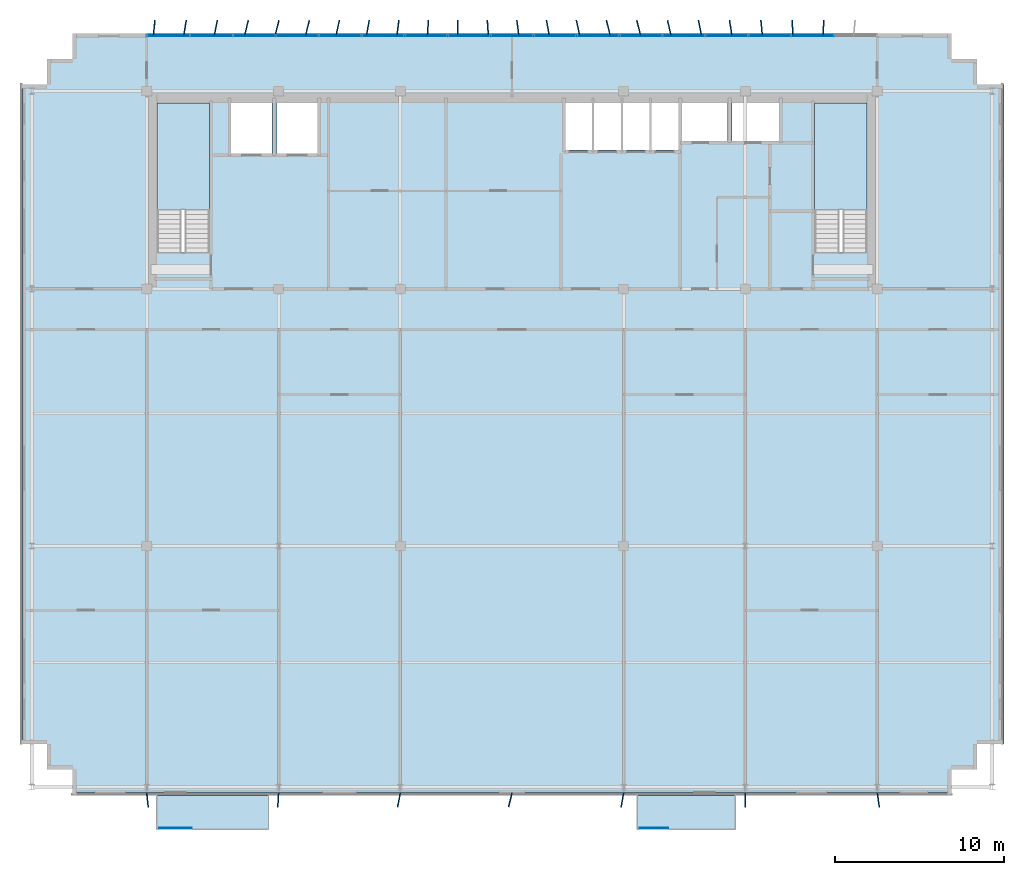
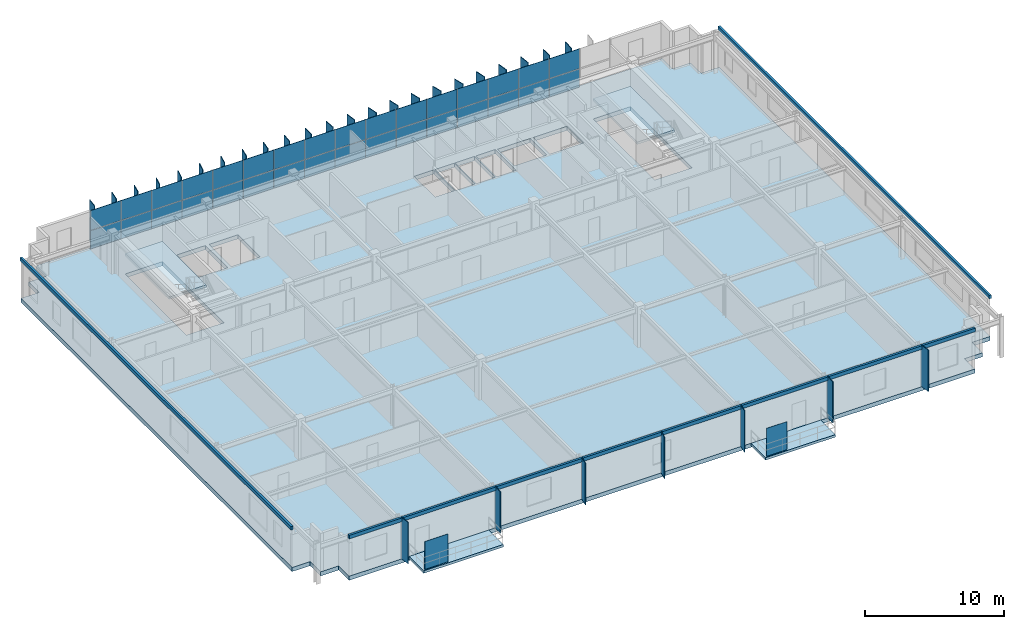
# One storey, part 15 of 21: 67 plates, 5 slabs, 3 elements without a shape of their own.
"""IFC4 building model written with IfcOpenShell, lengths in metres."""

from ifc_helpers import new_model, si_unit, direction, frame, origin, origin_2d, place, context, subcontext, project, spatial, polyline, rectangle, outline, extrude, source, transform, mapped, material, layer, layer_set, type_object, element, aggregate, save


model = new_model("IFC4")

# Units and contexts
model_context = context("Model", 3, precision=1e-05, world=origin(), true_north=direction((0.0, 1.0)))
body_context = subcontext(model_context, "Body", "Model", "MODEL_VIEW")
ifc_project = project(units=[si_unit("LENGTHUNIT", "METRE"), si_unit("AREAUNIT", "SQUARE_METRE"), si_unit("VOLUMEUNIT", "CUBIC_METRE"), si_unit("PLANEANGLEUNIT", "RADIAN"), si_unit("MASSUNIT", "GRAM", prefix="KILO")], contexts=[model_context])

# Site, building, storey
site_placement = place(None, origin())
site = spatial("IfcSite", under=ifc_project, at=site_placement, CompositionType="ELEMENT")
building_placement = place(site_placement, origin())
building = spatial("IfcBuilding", under=site, at=building_placement, Name="Trelvane Seafront Commons", CompositionType="ELEMENT")
storey_placement = place(building_placement, frame((0.0, 0.0, 248.699951171875)))
storey = spatial("IfcBuildingStorey", under=building, at=storey_placement, Name="L64", CompositionType="ELEMENT", Elevation=248.699951171875)

# Slabs
ifc_material_1 = material(Name="Concrete C40/50", Category="concrete")
ifc_layer_1 = layer(ifc_material_1, 0.219970703125, Name="ARCH-BALC-220")
ifc_layer_set_1 = layer_set([ifc_layer_1], Name="Concrete C40/50")
slab_type_1 = type_object("IfcSlabType", Name="ARCH-BALC-220", PredefinedType="FLOOR", material=ifc_layer_set_1)
slab_1_placement = place(storey_placement, frame((0.0, 0.0, -0.219970703125)))
element("IfcSlab", 1, at=slab_1_placement, inside=storey, type_object=slab_type_1, Name="L64 Cantilevered Tree Balcony Loggia 1", PredefinedType="FLOOR", context=body_context, shape_type="SweptSolid", body=[
    extrude(outline(polyline([(16.199951171875, 1.39990234375), (22.800048828125, 1.39990234375), (22.800048828125, 3.5), (16.199951171875, 3.5), (16.199951171875, 1.39990234375)])), origin(), (0.0, 0.0, 1.0), 0.219970703125),
])
slab_2_placement = place(storey_placement, frame((0.0, 0.0, -0.219970703125)))
element("IfcSlab", 2, at=slab_2_placement, inside=storey, type_object=slab_type_1, Name="L64 Cantilevered Tree Balcony Loggia 2", PredefinedType="FLOOR", context=body_context, shape_type="SweptSolid", body=[
    extrude(outline(polyline([(44.60009765625, 1.39990234375), (50.39990234375, 1.39990234375), (50.39990234375, 3.5), (44.60009765625, 3.5), (44.60009765625, 1.39990234375)])), origin(), (0.0, 0.0, 1.0), 0.219970703125),
])

# Stair, slab
stair_type_1 = type_object("IfcStairType", Name="ARCH-STR-ST-1-R20-180", PredefinedType="HALF_TURN_STAIR", material=ifc_material_1)
stair_1_placement = place(storey_placement, origin())
stair_1 = element("IfcStair", 3, at=stair_1_placement, inside=storey, type_object=stair_type_1, Name="L64 West Protected Firefighting Exit Stair ST-1", PredefinedType="HALF_TURN_STAIR")
ifc_layer_2 = layer(ifc_material_1, 0.199951171875, Name="ARCH-LND-200")
ifc_layer_set_2 = layer_set([ifc_layer_2], Name="Concrete C40/50")
slab_type_2 = type_object("IfcSlabType", Name="ARCH-LND-200", PredefinedType="LANDING", material=ifc_layer_set_2)
slab_3_placement = place(storey_placement, frame((0.0, 0.0, 1.60009765625)))
slab_3 = element("IfcSlab", 4, at=slab_3_placement, type_object=slab_type_2, Name="ST-1 landing 1", PredefinedType="LANDING", context=body_context, shape_type="SweptSolid", body=[
    extrude(outline(polyline([(19.300048828125, 38.070068359375), (19.300048828125, 44.39990234375), (16.199951171875, 44.39990234375), (16.199951171875, 38.070068359375), (19.300048828125, 38.070068359375)])), origin(), (0.0, 0.0, 1.0), 0.199951171875),
])
aggregate(stair_1, [slab_3])

stair_type_2 = type_object("IfcStairType", Name="ARCH-STR-ST-2-R20-180", PredefinedType="HALF_TURN_STAIR", material=ifc_material_1)
stair_2_placement = place(storey_placement, origin())
stair_2 = element("IfcStair", 5, at=stair_2_placement, inside=storey, type_object=stair_type_2, Name="L64 East Protected Firefighting Exit Stair ST-2", PredefinedType="HALF_TURN_STAIR")
slab_4_placement = place(storey_placement, frame((0.0, 0.0, 1.60009765625)))
slab_4 = element("IfcSlab", 6, at=slab_4_placement, type_object=slab_type_2, Name="ST-2 landing 1", PredefinedType="LANDING", context=body_context, shape_type="SweptSolid", body=[
    extrude(outline(polyline([(58.199951171875, 38.070068359375), (58.199951171875, 44.39990234375), (55.10009765625, 44.39990234375), (55.10009765625, 38.070068359375), (58.199951171875, 38.070068359375)])), origin(), (0.0, 0.0, 1.0), 0.199951171875),
])
aggregate(stair_2, [slab_4])

# Slab
ifc_material_2 = material(Name="Concrete C60/75", Category="concrete")
ifc_layer_3 = layer(ifc_material_2, 0.3798828125, Name="STR-SLB-T380")
ifc_layer_set_3 = layer_set([ifc_layer_3], Name="Concrete C60/75")
slab_type_3 = type_object("IfcSlabType", Name="STR-SLB-T380", PredefinedType="FLOOR", material=ifc_layer_set_3)
slab_5_placement = place(storey_placement, frame((0.0, 0.0, -0.35986328125)))
element("IfcSlab", 7, at=slab_5_placement, inside=storey, type_object=slab_type_3, Name="L64 Structural Floor Slab", PredefinedType="FLOOR", context=body_context, shape_type="SweptSolid", body=[
    extrude(outline(polyline([(11.199951171875, 3.5), (63.199951171875, 3.5), (63.199951171875, 5.0), (64.699951171875, 5.0), (64.699951171875, 6.5), (66.199951171875, 6.5), (66.199951171875, 45.5), (64.699951171875, 45.5), (64.699951171875, 47.0), (63.199951171875, 47.0), (63.199951171875, 48.5), (11.199951171875, 48.5), (11.199951171875, 47.0), (9.699951171875, 47.0), (9.699951171875, 45.5), (8.199951171875, 45.5), (8.199951171875, 6.5), (9.699951171875, 6.5), (9.699951171875, 5.0), (11.199951171875, 5.0), (11.199951171875, 3.5)]), holes=[polyline([(19.300048828125, 35.550048828125), (16.199951171875, 35.550048828125), (16.199951171875, 44.39990234375), (19.300048828125, 44.39990234375), (19.300048828125, 35.550048828125)]), polyline([(58.199951171875, 35.550048828125), (55.10009765625, 35.550048828125), (55.10009765625, 44.39990234375), (58.199951171875, 44.39990234375), (58.199951171875, 35.550048828125)]), polyline([(23.0, 41.39990234375), (20.60009765625, 41.39990234375), (20.60009765625, 44.60009765625), (23.0, 44.60009765625), (23.0, 41.39990234375)]), polyline([(23.300048828125, 41.39990234375), (23.300048828125, 44.60009765625), (25.699951171875, 44.60009765625), (25.699951171875, 41.39990234375), (23.300048828125, 41.39990234375)]), polyline([(40.35009765625, 41.60009765625), (40.35009765625, 44.60009765625), (41.969970703125, 44.60009765625), (41.969970703125, 41.60009765625), (40.35009765625, 41.60009765625)]), polyline([(43.669921875, 41.60009765625), (42.050048828125, 41.60009765625), (42.050048828125, 44.60009765625), (43.669921875, 44.60009765625), (43.669921875, 41.60009765625)]), polyline([(45.3701171875, 41.60009765625), (43.75, 41.60009765625), (43.75, 44.60009765625), (45.3701171875, 44.60009765625), (45.3701171875, 41.60009765625)]), polyline([(47.070068359375, 41.60009765625), (45.449951171875, 41.60009765625), (45.449951171875, 44.60009765625), (47.070068359375, 44.60009765625), (47.070068359375, 41.60009765625)]), polyline([(47.25, 42.14990234375), (47.25, 44.550048828125), (49.949951171875, 44.550048828125), (49.949951171875, 42.14990234375), (47.25, 42.14990234375)]), polyline([(50.199951171875, 42.14990234375), (50.199951171875, 44.550048828125), (53.0, 44.550048828125), (53.0, 42.14990234375), (50.199951171875, 42.14990234375)])]), origin(), (0.0, 0.0, 1.0), 0.35986328125),
])

# Plates
ifc_material_3 = material(Name="Perforated anodised aluminium screen", Category="aluminium")
ifc_layer_4 = layer(ifc_material_3, 0.01611328125, Name="ARCH-PLATE-SCREEN")
ifc_layer_set_4 = layer_set([ifc_layer_4], Name="Perforated anodised aluminium screen")
plate_type_1 = type_object("IfcPlateType", Name="ARCH-PLATE-SCREEN", PredefinedType="USERDEFINED", material=ifc_layer_set_4)
shared_shape_1 = source(origin(), body_context, "Body", "SweptSolid", [
    extrude(rectangle(XDim=1.9140625, YDim=0.01611328125, at=origin_2d()), origin(), (0.0, 0.0, 1.0), 2.449951171875),
])
plate_1_placement = place(storey_placement, frame((17.306884765625, 1.52001953125, 0.0), z_axis=(0.0, 0.0, 1.0), x_axis=(1.0, 0.0, 0.0)))
element("IfcPlate", 8, at=plate_1_placement, inside=storey, type_object=plate_type_1, Name="SCR-L64-00222", ObjectType="SCREEN", PredefinedType="USERDEFINED", context=body_context, shape_type="MappedRepresentation", body=[
    mapped(shared_shape_1, transform((0.0, 0.0, 0.0), x_axis=(1.0, 0.0, 0.0), y_axis=(0.0, 1.0, 0.0), z_axis=(0.0, 0.0, 1.0), scale=1.0)),
])
shared_shape_2 = source(origin(), body_context, "Body", "SweptSolid", [
    extrude(rectangle(XDim=1.681884765625, YDim=0.01611328125, at=origin_2d()), origin(), (0.0, 0.0, 1.0), 2.449951171875),
])
plate_2_placement = place(storey_placement, frame((45.591064453125, 1.52001953125, 0.0), z_axis=(0.0, 0.0, 1.0), x_axis=(1.0, 0.0, 0.0)))
element("IfcPlate", 9, at=plate_2_placement, inside=storey, type_object=plate_type_1, Name="SCR-L64-00223", ObjectType="SCREEN", PredefinedType="USERDEFINED", context=body_context, shape_type="MappedRepresentation", body=[
    mapped(shared_shape_2, transform((0.0, 0.0, 0.0), x_axis=(1.0, 0.0, 0.0), y_axis=(0.0, 1.0, 0.0), z_axis=(0.0, 0.0, 1.0), scale=1.0)),
])
ifc_material_4 = material(Name="Anodised pale-silver aluminium", Category="aluminium")
ifc_layer_5 = layer(ifc_material_4, 0.06005859375, Name="ARCH-PLATE-FIN900")
ifc_layer_set_5 = layer_set([ifc_layer_5], Name="Anodised pale-silver aluminium")
plate_type_2 = type_object("IfcPlateType", Name="ARCH-PLATE-FIN900", PredefinedType="USERDEFINED", material=ifc_layer_set_5)
shared_shape_3 = source(origin(), body_context, "Body", "SweptSolid", [
    extrude(rectangle(XDim=0.89990234375, YDim=0.06005859375, at=origin_2d()), origin(), (0.0, 0.0, 1.0), 3.639892578125),
])
for number, where, z_axis, x_axis, name in (
    (10, (16.044189453125, 48.847900390625, -0.02001953125), (0.0, 0.0, 1.0), (0.097996297208, 0.99518677932, 0.0), "FIN-L64-01756"),
    (11, (17.869384765625, 48.844482421875, -0.02001953125), (0.0, 0.0, 1.0), (0.154336198802, 0.988018389373, 0.0), "FIN-L64-01757"),
    (12, (19.689453125, 48.841064453125, -0.02001953125), (0.0, 0.0, 1.0), (0.198786400323, 0.980042839394, 0.0), "FIN-L64-01758"),
    (13, (21.502685546875, 48.838134765625, -0.02001953125), (0.0, 0.0, 1.0), (0.22854967359, 0.973532252523, 0.0), "FIN-L64-01759"),
    (14, (23.30859375, 48.836669921875, -0.02001953125), (0.0, 0.0, 1.0), (0.241437528624, 0.97041636413, 0.0), "FIN-L64-01760"),
    (15, (25.1064453125, 48.837158203125, -0.02001953125), (0.0, 0.0, 1.0), (0.236780492763, 0.971563172546, 0.0), "FIN-L64-01761"),
    (16, (26.896728515625, 48.839599609375, -0.02001953125), (0.0, 0.0, 1.0), (0.214776237731, 0.976663282665, 0.0), "FIN-L64-01762"),
    (17, (28.6796875, 48.843017578125, -0.02001953125), (0.0, 0.0, 1.0), (0.176998852376, 0.984211057781, 0.0), "FIN-L64-01763"),
    (18, (30.45654296875, 48.846435546875, -0.02001953125), (0.0, 0.0, 1.0), (0.125785159482, 0.992057505215, 0.0), "FIN-L64-01764"),
    (19, (32.229248046875, 48.84912109375, -0.02001953125), (0.0, 0.0, 1.0), (0.06499907445, 0.997885324234, 0.0), "FIN-L64-01765"),
    (20, (33.99951171875, 48.85009765625, -0.02001953125), (0.0, 0.0, 1.0), (-0.000888372472, 0.999999605397, 0.0), "FIN-L64-01766"),
    (21, (35.77001953125, 48.84912109375, -0.02001953125), (0.0, 0.0, 1.0), (-0.066777183162, 0.997767912798, 0.0), "FIN-L64-01767"),
    (22, (37.542724609375, 48.846435546875, -0.02001953125), (0.0, 0.0, 1.0), (-0.127438534958, 0.991846469877, 0.0), "FIN-L64-01768"),
    (23, (39.31982421875, 48.8427734375, -0.02001953125), (0.0, 0.0, 1.0), (-0.178220051922, 0.983990657015, 0.0), "FIN-L64-01769"),
    (24, (41.102783203125, 48.83935546875, -0.02001953125), (0.0, 0.0, 1.0), (-0.215671061916, 0.976466073682, 0.0), "FIN-L64-01770"),
    (25, (42.893310546875, 48.837158203125, -0.02001953125), (0.0, 0.0, 1.0), (-0.237119617856, 0.971480461372, 0.0), "FIN-L64-01771"),
    (26, (44.69140625, 48.836669921875, -0.02001953125), (0.0, 0.0, 1.0), (-0.241332518054, 0.970442484504, 0.0), "FIN-L64-01772"),
    (27, (46.49755859375, 48.838134765625, -0.02001953125), (0.0, 0.0, 1.0), (-0.227893755927, 0.973686004834, 0.0), "FIN-L64-01773"),
    (28, (48.31103515625, 48.841064453125, -0.02001953125), (0.0, 0.0, 1.0), (-0.197782234179, 0.980245983334, 0.0), "FIN-L64-01774"),
    (29, (50.131103515625, 48.8447265625, -0.02001953125), (0.0, 0.0, 1.0), (-0.152892697274, 0.988242795633, 0.0), "FIN-L64-01775"),
    (30, (51.95654296875, 48.847900390625, -0.02001953125), (0.0, 0.0, 1.0), (-0.096335657828, 0.995348904169, 0.0), "FIN-L64-01776"),
    (31, (53.785400390625, 48.849853515625, -0.02001953125), (0.0, 0.0, 1.0), (-0.032333569151, 0.999477133458, 0.0), "FIN-L64-01777"),
    (32, (55.615478515625, 48.849853515625, -0.02001953125), (0.0, 0.0, 1.0), (0.03422096922, 0.999414291105, 0.0), "FIN-L64-01778"),
):
    element("IfcPlate", number, at=place(storey_placement, frame(where, z_axis=z_axis, x_axis=x_axis)), inside=storey, type_object=plate_type_2, Name=name, ObjectType="FIN", PredefinedType="USERDEFINED", context=body_context, shape_type="MappedRepresentation", body=[
        mapped(shared_shape_3, transform((0.0, 0.0, 0.0), x_axis=(1.0, 0.0, 0.0), y_axis=(0.0, 1.0, 0.0), z_axis=(0.0, 0.0, 1.0), scale=1.0)),
    ])
shared_shape_4 = source(origin(), body_context, "Body", "SweptSolid", [
    extrude(rectangle(XDim=0.85009765625, YDim=0.06005859375, at=origin_2d()), origin(), (0.0, 0.0, 1.0), 3.639892578125),
])
for number, where, z_axis, x_axis, name in (
    (33, (15.645751953125, 3.177490234375, -0.02001953125), (0.0, 0.0, 1.0), (0.107641913857, -0.994189729569, 0.0), "FIN-S-L64-01780"),
    (34, (23.375, 3.17578125, -0.02001953125), (0.0, 0.0, 1.0), (-0.058708768775, -0.998275152685, 0.0), "FIN-S-L64-01781"),
    (35, (30.5166015625, 3.183349609375, -0.02001953125), (0.0, 0.0, 1.0), (-0.196478390435, -0.980508155036, 0.0), "FIN-S-L64-01782"),
    (36, (37.097412109375, 3.1875, -0.02001953125), (0.0, 0.0, 1.0), (-0.241290174283, -0.970453013697, 0.0), "FIN-S-L64-01783"),
    (37, (43.725830078125, 3.181396484375, -0.02001953125), (0.0, 0.0, 1.0), (-0.174234262377, -0.984704230627, 0.0), "FIN-S-L64-01784"),
    (38, (50.98974609375, 3.175048828125, -0.02001953125), (0.0, 0.0, 1.0), (-0.024116366645, -0.999709158135, 0.0), "FIN-S-L64-01785"),
    (39, (58.8583984375, 3.17919921875, -0.02001953125), (0.0, 0.0, 1.0), (0.137764360418, -0.990465032699, 0.0), "FIN-S-L64-01786"),
):
    element("IfcPlate", number, at=place(storey_placement, frame(where, z_axis=z_axis, x_axis=x_axis)), inside=storey, type_object=plate_type_2, Name=name, ObjectType="FIN", PredefinedType="USERDEFINED", context=body_context, shape_type="MappedRepresentation", body=[
        mapped(shared_shape_4, transform((0.0, 0.0, 0.0), x_axis=(1.0, 0.0, 0.0), y_axis=(0.0, 1.0, 0.0), z_axis=(0.0, 0.0, 1.0), scale=1.0)),
    ])

# Curtain wall, plates
curtain_wall_type = type_object("IfcCurtainWallType", Name="ARCH-CW5-UPTOWER", PredefinedType="NOTDEFINED", material=ifc_material_4)
curtain_wall_placement = place(storey_placement, origin())
curtain_wall = element("IfcCurtainWall", 40, at=curtain_wall_placement, inside=storey, type_object=curtain_wall_type, Name="CW-L64-0108", PredefinedType="NOTDEFINED")
ifc_material_5 = material(Name="Low-E coastal double glazing", Category="glass")
ifc_layer_6 = layer(ifc_material_5, 0.033935546875, Name="ARCH-CW-GLAZ-34")
ifc_layer_set_6 = layer_set([ifc_layer_6], Name="Low-E coastal double glazing")
plate_type_3 = type_object("IfcPlateType", Name="ARCH-CW-GLAZ-34", PredefinedType="CURTAIN_PANEL", material=ifc_layer_set_6)
shared_shape_5 = source(origin(), body_context, "Body", "SweptSolid", [
    extrude(rectangle(XDim=2.51708984375, YDim=0.033935546875, at=origin_2d()), origin(), (0.0, 0.0, 1.0), 1.60009765625),
])
plate_3_placement = place(storey_placement, frame((16.87060546875, 48.3701171875, 0.0), z_axis=(0.0, 0.0, 1.0), x_axis=(1.0, 0.0, 0.0)))
plate_3 = element("IfcPlate", 41, at=plate_3_placement, type_object=plate_type_3, Name="CW-L64-0108-P00-1", PredefinedType="CURTAIN_PANEL", context=body_context, shape_type="MappedRepresentation", body=[
    mapped(shared_shape_5, transform((0.0, 0.0, 0.0), x_axis=(1.0, 0.0, 0.0), y_axis=(0.0, 1.0, 0.0), z_axis=(0.0, 0.0, 1.0), scale=1.0)),
])
plate_4_placement = place(storey_placement, frame((19.411865234375, 48.3701171875, 0.0), z_axis=(0.0, 0.0, 1.0), x_axis=(1.0, 0.0, 0.0)))
plate_4 = element("IfcPlate", 42, at=plate_4_placement, type_object=plate_type_3, Name="CW-L64-0108-P01-1", PredefinedType="CURTAIN_PANEL", context=body_context, shape_type="MappedRepresentation", body=[
    mapped(shared_shape_5, transform((0.0, 0.0, 0.0), x_axis=(1.0, 0.0, 0.0), y_axis=(0.0, 1.0, 0.0), z_axis=(0.0, 0.0, 1.0), scale=1.0)),
])
plate_5_placement = place(storey_placement, frame((21.952880859375, 48.3701171875, 0.0), z_axis=(0.0, 0.0, 1.0), x_axis=(1.0, 0.0, 0.0)))
plate_5 = element("IfcPlate", 43, at=plate_5_placement, type_object=plate_type_3, Name="CW-L64-0108-P02-1", PredefinedType="CURTAIN_PANEL", context=body_context, shape_type="MappedRepresentation", body=[
    mapped(shared_shape_5, transform((0.0, 0.0, 0.0), x_axis=(1.0, 0.0, 0.0), y_axis=(0.0, 1.0, 0.0), z_axis=(0.0, 0.0, 1.0), scale=1.0)),
])
plate_6_placement = place(storey_placement, frame((24.494140625, 48.3701171875, 0.0), z_axis=(0.0, 0.0, 1.0), x_axis=(1.0, 0.0, 0.0)))
plate_6 = element("IfcPlate", 44, at=plate_6_placement, type_object=plate_type_3, Name="CW-L64-0108-P03-1", PredefinedType="CURTAIN_PANEL", context=body_context, shape_type="MappedRepresentation", body=[
    mapped(shared_shape_5, transform((0.0, 0.0, 0.0), x_axis=(1.0, 0.0, 0.0), y_axis=(0.0, 1.0, 0.0), z_axis=(0.0, 0.0, 1.0), scale=1.0)),
])
plate_7_placement = place(storey_placement, frame((27.035400390625, 48.3701171875, 0.0), z_axis=(0.0, 0.0, 1.0), x_axis=(1.0, 0.0, 0.0)))
plate_7 = element("IfcPlate", 45, at=plate_7_placement, type_object=plate_type_3, Name="CW-L64-0108-P04-1", PredefinedType="CURTAIN_PANEL", context=body_context, shape_type="MappedRepresentation", body=[
    mapped(shared_shape_5, transform((0.0, 0.0, 0.0), x_axis=(1.0, 0.0, 0.0), y_axis=(0.0, 1.0, 0.0), z_axis=(0.0, 0.0, 1.0), scale=1.0)),
])
plate_8_placement = place(storey_placement, frame((29.576416015625, 48.3701171875, 0.0), z_axis=(0.0, 0.0, 1.0), x_axis=(1.0, 0.0, 0.0)))
plate_8 = element("IfcPlate", 46, at=plate_8_placement, type_object=plate_type_3, Name="CW-L64-0108-P05-1", PredefinedType="CURTAIN_PANEL", context=body_context, shape_type="MappedRepresentation", body=[
    mapped(shared_shape_5, transform((0.0, 0.0, 0.0), x_axis=(1.0, 0.0, 0.0), y_axis=(0.0, 1.0, 0.0), z_axis=(0.0, 0.0, 1.0), scale=1.0)),
])
plate_9_placement = place(storey_placement, frame((32.11767578125, 48.3701171875, 0.0), z_axis=(0.0, 0.0, 1.0), x_axis=(1.0, 0.0, 0.0)))
plate_9 = element("IfcPlate", 47, at=plate_9_placement, type_object=plate_type_3, Name="CW-L64-0108-P06-1", PredefinedType="CURTAIN_PANEL", context=body_context, shape_type="MappedRepresentation", body=[
    mapped(shared_shape_5, transform((0.0, 0.0, 0.0), x_axis=(1.0, 0.0, 0.0), y_axis=(0.0, 1.0, 0.0), z_axis=(0.0, 0.0, 1.0), scale=1.0)),
])
plate_10_placement = place(storey_placement, frame((34.65869140625, 48.3701171875, 0.0), z_axis=(0.0, 0.0, 1.0), x_axis=(1.0, 0.0, 0.0)))
plate_10 = element("IfcPlate", 48, at=plate_10_placement, type_object=plate_type_3, Name="CW-L64-0108-P07-1", PredefinedType="CURTAIN_PANEL", context=body_context, shape_type="MappedRepresentation", body=[
    mapped(shared_shape_5, transform((0.0, 0.0, 0.0), x_axis=(1.0, 0.0, 0.0), y_axis=(0.0, 1.0, 0.0), z_axis=(0.0, 0.0, 1.0), scale=1.0)),
])
plate_11_placement = place(storey_placement, frame((37.199951171875, 48.3701171875, 0.0), z_axis=(0.0, 0.0, 1.0), x_axis=(1.0, 0.0, 0.0)))
plate_11 = element("IfcPlate", 49, at=plate_11_placement, type_object=plate_type_3, Name="CW-L64-0108-P08-1", PredefinedType="CURTAIN_PANEL", context=body_context, shape_type="MappedRepresentation", body=[
    mapped(shared_shape_5, transform((0.0, 0.0, 0.0), x_axis=(1.0, 0.0, 0.0), y_axis=(0.0, 1.0, 0.0), z_axis=(0.0, 0.0, 1.0), scale=1.0)),
])
plate_12_placement = place(storey_placement, frame((39.7412109375, 48.3701171875, 0.0), z_axis=(0.0, 0.0, 1.0), x_axis=(1.0, 0.0, 0.0)))
plate_12 = element("IfcPlate", 50, at=plate_12_placement, type_object=plate_type_3, Name="CW-L64-0108-P09-1", PredefinedType="CURTAIN_PANEL", context=body_context, shape_type="MappedRepresentation", body=[
    mapped(shared_shape_5, transform((0.0, 0.0, 0.0), x_axis=(1.0, 0.0, 0.0), y_axis=(0.0, 1.0, 0.0), z_axis=(0.0, 0.0, 1.0), scale=1.0)),
])
plate_13_placement = place(storey_placement, frame((42.282470703125, 48.3701171875, 0.0), z_axis=(0.0, 0.0, 1.0), x_axis=(1.0, 0.0, 0.0)))
plate_13 = element("IfcPlate", 51, at=plate_13_placement, type_object=plate_type_3, Name="CW-L64-0108-P10-1", PredefinedType="CURTAIN_PANEL", context=body_context, shape_type="MappedRepresentation", body=[
    mapped(shared_shape_5, transform((0.0, 0.0, 0.0), x_axis=(1.0, 0.0, 0.0), y_axis=(0.0, 1.0, 0.0), z_axis=(0.0, 0.0, 1.0), scale=1.0)),
])
plate_14_placement = place(storey_placement, frame((44.823486328125, 48.3701171875, 0.0), z_axis=(0.0, 0.0, 1.0), x_axis=(1.0, 0.0, 0.0)))
plate_14 = element("IfcPlate", 52, at=plate_14_placement, type_object=plate_type_3, Name="CW-L64-0108-P11-1", PredefinedType="CURTAIN_PANEL", context=body_context, shape_type="MappedRepresentation", body=[
    mapped(shared_shape_5, transform((0.0, 0.0, 0.0), x_axis=(1.0, 0.0, 0.0), y_axis=(0.0, 1.0, 0.0), z_axis=(0.0, 0.0, 1.0), scale=1.0)),
])
plate_15_placement = place(storey_placement, frame((47.36474609375, 48.3701171875, 0.0), z_axis=(0.0, 0.0, 1.0), x_axis=(1.0, 0.0, 0.0)))
plate_15 = element("IfcPlate", 53, at=plate_15_placement, type_object=plate_type_3, Name="CW-L64-0108-P12-1", PredefinedType="CURTAIN_PANEL", context=body_context, shape_type="MappedRepresentation", body=[
    mapped(shared_shape_5, transform((0.0, 0.0, 0.0), x_axis=(1.0, 0.0, 0.0), y_axis=(0.0, 1.0, 0.0), z_axis=(0.0, 0.0, 1.0), scale=1.0)),
])
plate_16_placement = place(storey_placement, frame((49.906005859375, 48.3701171875, 0.0), z_axis=(0.0, 0.0, 1.0), x_axis=(1.0, 0.0, 0.0)))
plate_16 = element("IfcPlate", 54, at=plate_16_placement, type_object=plate_type_3, Name="CW-L64-0108-P13-1", PredefinedType="CURTAIN_PANEL", context=body_context, shape_type="MappedRepresentation", body=[
    mapped(shared_shape_5, transform((0.0, 0.0, 0.0), x_axis=(1.0, 0.0, 0.0), y_axis=(0.0, 1.0, 0.0), z_axis=(0.0, 0.0, 1.0), scale=1.0)),
])
plate_17_placement = place(storey_placement, frame((52.447021484375, 48.3701171875, 0.0), z_axis=(0.0, 0.0, 1.0), x_axis=(1.0, 0.0, 0.0)))
plate_17 = element("IfcPlate", 55, at=plate_17_placement, type_object=plate_type_3, Name="CW-L64-0108-P14-1", PredefinedType="CURTAIN_PANEL", context=body_context, shape_type="MappedRepresentation", body=[
    mapped(shared_shape_5, transform((0.0, 0.0, 0.0), x_axis=(1.0, 0.0, 0.0), y_axis=(0.0, 1.0, 0.0), z_axis=(0.0, 0.0, 1.0), scale=1.0)),
])
plate_18_placement = place(storey_placement, frame((54.98828125, 48.3701171875, 0.0), z_axis=(0.0, 0.0, 1.0), x_axis=(1.0, 0.0, 0.0)))
plate_18 = element("IfcPlate", 56, at=plate_18_placement, type_object=plate_type_3, Name="CW-L64-0108-P15-1", PredefinedType="CURTAIN_PANEL", context=body_context, shape_type="MappedRepresentation", body=[
    mapped(shared_shape_5, transform((0.0, 0.0, 0.0), x_axis=(1.0, 0.0, 0.0), y_axis=(0.0, 1.0, 0.0), z_axis=(0.0, 0.0, 1.0), scale=1.0)),
])
shared_shape_6 = source(origin(), body_context, "Body", "SweptSolid", [
    extrude(rectangle(XDim=2.51708984375, YDim=0.033935546875, at=origin_2d()), origin(), (0.0, 0.0, 1.0), 1.73388671875),
])
plate_19_placement = place(storey_placement, frame((16.87060546875, 48.3701171875, 1.635986328125), z_axis=(0.0, 0.0, 1.0), x_axis=(1.0, 0.0, 0.0)))
plate_19 = element("IfcPlate", 57, at=plate_19_placement, type_object=plate_type_3, Name="CW-L64-0108-P00-2", PredefinedType="CURTAIN_PANEL", context=body_context, shape_type="MappedRepresentation", body=[
    mapped(shared_shape_6, transform((0.0, 0.0, 0.0), x_axis=(1.0, 0.0, 0.0), y_axis=(0.0, 1.0, 0.0), z_axis=(0.0, 0.0, 1.0), scale=1.0)),
])
plate_20_placement = place(storey_placement, frame((19.411865234375, 48.3701171875, 1.635986328125), z_axis=(0.0, 0.0, 1.0), x_axis=(1.0, 0.0, 0.0)))
plate_20 = element("IfcPlate", 58, at=plate_20_placement, type_object=plate_type_3, Name="CW-L64-0108-P01-2", PredefinedType="CURTAIN_PANEL", context=body_context, shape_type="MappedRepresentation", body=[
    mapped(shared_shape_6, transform((0.0, 0.0, 0.0), x_axis=(1.0, 0.0, 0.0), y_axis=(0.0, 1.0, 0.0), z_axis=(0.0, 0.0, 1.0), scale=1.0)),
])
plate_21_placement = place(storey_placement, frame((21.952880859375, 48.3701171875, 1.635986328125), z_axis=(0.0, 0.0, 1.0), x_axis=(1.0, 0.0, 0.0)))
plate_21 = element("IfcPlate", 59, at=plate_21_placement, type_object=plate_type_3, Name="CW-L64-0108-P02-2", PredefinedType="CURTAIN_PANEL", context=body_context, shape_type="MappedRepresentation", body=[
    mapped(shared_shape_6, transform((0.0, 0.0, 0.0), x_axis=(1.0, 0.0, 0.0), y_axis=(0.0, 1.0, 0.0), z_axis=(0.0, 0.0, 1.0), scale=1.0)),
])
plate_22_placement = place(storey_placement, frame((24.494140625, 48.3701171875, 1.635986328125), z_axis=(0.0, 0.0, 1.0), x_axis=(1.0, 0.0, 0.0)))
plate_22 = element("IfcPlate", 60, at=plate_22_placement, type_object=plate_type_3, Name="CW-L64-0108-P03-2", PredefinedType="CURTAIN_PANEL", context=body_context, shape_type="MappedRepresentation", body=[
    mapped(shared_shape_6, transform((0.0, 0.0, 0.0), x_axis=(1.0, 0.0, 0.0), y_axis=(0.0, 1.0, 0.0), z_axis=(0.0, 0.0, 1.0), scale=1.0)),
])
plate_23_placement = place(storey_placement, frame((27.035400390625, 48.3701171875, 1.635986328125), z_axis=(0.0, 0.0, 1.0), x_axis=(1.0, 0.0, 0.0)))
plate_23 = element("IfcPlate", 61, at=plate_23_placement, type_object=plate_type_3, Name="CW-L64-0108-P04-2", PredefinedType="CURTAIN_PANEL", context=body_context, shape_type="MappedRepresentation", body=[
    mapped(shared_shape_6, transform((0.0, 0.0, 0.0), x_axis=(1.0, 0.0, 0.0), y_axis=(0.0, 1.0, 0.0), z_axis=(0.0, 0.0, 1.0), scale=1.0)),
])
plate_24_placement = place(storey_placement, frame((29.576416015625, 48.3701171875, 1.635986328125), z_axis=(0.0, 0.0, 1.0), x_axis=(1.0, 0.0, 0.0)))
plate_24 = element("IfcPlate", 62, at=plate_24_placement, type_object=plate_type_3, Name="CW-L64-0108-P05-2", PredefinedType="CURTAIN_PANEL", context=body_context, shape_type="MappedRepresentation", body=[
    mapped(shared_shape_6, transform((0.0, 0.0, 0.0), x_axis=(1.0, 0.0, 0.0), y_axis=(0.0, 1.0, 0.0), z_axis=(0.0, 0.0, 1.0), scale=1.0)),
])
plate_25_placement = place(storey_placement, frame((32.11767578125, 48.3701171875, 1.635986328125), z_axis=(0.0, 0.0, 1.0), x_axis=(1.0, 0.0, 0.0)))
plate_25 = element("IfcPlate", 63, at=plate_25_placement, type_object=plate_type_3, Name="CW-L64-0108-P06-2", PredefinedType="CURTAIN_PANEL", context=body_context, shape_type="MappedRepresentation", body=[
    mapped(shared_shape_6, transform((0.0, 0.0, 0.0), x_axis=(1.0, 0.0, 0.0), y_axis=(0.0, 1.0, 0.0), z_axis=(0.0, 0.0, 1.0), scale=1.0)),
])
plate_26_placement = place(storey_placement, frame((34.65869140625, 48.3701171875, 1.635986328125), z_axis=(0.0, 0.0, 1.0), x_axis=(1.0, 0.0, 0.0)))
plate_26 = element("IfcPlate", 64, at=plate_26_placement, type_object=plate_type_3, Name="CW-L64-0108-P07-2", PredefinedType="CURTAIN_PANEL", context=body_context, shape_type="MappedRepresentation", body=[
    mapped(shared_shape_6, transform((0.0, 0.0, 0.0), x_axis=(1.0, 0.0, 0.0), y_axis=(0.0, 1.0, 0.0), z_axis=(0.0, 0.0, 1.0), scale=1.0)),
])
plate_27_placement = place(storey_placement, frame((37.199951171875, 48.3701171875, 1.635986328125), z_axis=(0.0, 0.0, 1.0), x_axis=(1.0, 0.0, 0.0)))
plate_27 = element("IfcPlate", 65, at=plate_27_placement, type_object=plate_type_3, Name="CW-L64-0108-P08-2", PredefinedType="CURTAIN_PANEL", context=body_context, shape_type="MappedRepresentation", body=[
    mapped(shared_shape_6, transform((0.0, 0.0, 0.0), x_axis=(1.0, 0.0, 0.0), y_axis=(0.0, 1.0, 0.0), z_axis=(0.0, 0.0, 1.0), scale=1.0)),
])
plate_28_placement = place(storey_placement, frame((39.7412109375, 48.3701171875, 1.635986328125), z_axis=(0.0, 0.0, 1.0), x_axis=(1.0, 0.0, 0.0)))
plate_28 = element("IfcPlate", 66, at=plate_28_placement, type_object=plate_type_3, Name="CW-L64-0108-P09-2", PredefinedType="CURTAIN_PANEL", context=body_context, shape_type="MappedRepresentation", body=[
    mapped(shared_shape_6, transform((0.0, 0.0, 0.0), x_axis=(1.0, 0.0, 0.0), y_axis=(0.0, 1.0, 0.0), z_axis=(0.0, 0.0, 1.0), scale=1.0)),
])
plate_29_placement = place(storey_placement, frame((42.282470703125, 48.3701171875, 1.635986328125), z_axis=(0.0, 0.0, 1.0), x_axis=(1.0, 0.0, 0.0)))
plate_29 = element("IfcPlate", 67, at=plate_29_placement, type_object=plate_type_3, Name="CW-L64-0108-P10-2", PredefinedType="CURTAIN_PANEL", context=body_context, shape_type="MappedRepresentation", body=[
    mapped(shared_shape_6, transform((0.0, 0.0, 0.0), x_axis=(1.0, 0.0, 0.0), y_axis=(0.0, 1.0, 0.0), z_axis=(0.0, 0.0, 1.0), scale=1.0)),
])
plate_30_placement = place(storey_placement, frame((44.823486328125, 48.3701171875, 1.635986328125), z_axis=(0.0, 0.0, 1.0), x_axis=(1.0, 0.0, 0.0)))
plate_30 = element("IfcPlate", 68, at=plate_30_placement, type_object=plate_type_3, Name="CW-L64-0108-P11-2", PredefinedType="CURTAIN_PANEL", context=body_context, shape_type="MappedRepresentation", body=[
    mapped(shared_shape_6, transform((0.0, 0.0, 0.0), x_axis=(1.0, 0.0, 0.0), y_axis=(0.0, 1.0, 0.0), z_axis=(0.0, 0.0, 1.0), scale=1.0)),
])
plate_31_placement = place(storey_placement, frame((47.36474609375, 48.3701171875, 1.635986328125), z_axis=(0.0, 0.0, 1.0), x_axis=(1.0, 0.0, 0.0)))
plate_31 = element("IfcPlate", 69, at=plate_31_placement, type_object=plate_type_3, Name="CW-L64-0108-P12-2", PredefinedType="CURTAIN_PANEL", context=body_context, shape_type="MappedRepresentation", body=[
    mapped(shared_shape_6, transform((0.0, 0.0, 0.0), x_axis=(1.0, 0.0, 0.0), y_axis=(0.0, 1.0, 0.0), z_axis=(0.0, 0.0, 1.0), scale=1.0)),
])
plate_32_placement = place(storey_placement, frame((49.906005859375, 48.3701171875, 1.635986328125), z_axis=(0.0, 0.0, 1.0), x_axis=(1.0, 0.0, 0.0)))
plate_32 = element("IfcPlate", 70, at=plate_32_placement, type_object=plate_type_3, Name="CW-L64-0108-P13-2", PredefinedType="CURTAIN_PANEL", context=body_context, shape_type="MappedRepresentation", body=[
    mapped(shared_shape_6, transform((0.0, 0.0, 0.0), x_axis=(1.0, 0.0, 0.0), y_axis=(0.0, 1.0, 0.0), z_axis=(0.0, 0.0, 1.0), scale=1.0)),
])
plate_33_placement = place(storey_placement, frame((52.447021484375, 48.3701171875, 1.635986328125), z_axis=(0.0, 0.0, 1.0), x_axis=(1.0, 0.0, 0.0)))
plate_33 = element("IfcPlate", 71, at=plate_33_placement, type_object=plate_type_3, Name="CW-L64-0108-P14-2", PredefinedType="CURTAIN_PANEL", context=body_context, shape_type="MappedRepresentation", body=[
    mapped(shared_shape_6, transform((0.0, 0.0, 0.0), x_axis=(1.0, 0.0, 0.0), y_axis=(0.0, 1.0, 0.0), z_axis=(0.0, 0.0, 1.0), scale=1.0)),
])
plate_34_placement = place(storey_placement, frame((54.98828125, 48.3701171875, 1.635986328125), z_axis=(0.0, 0.0, 1.0), x_axis=(1.0, 0.0, 0.0)))
plate_34 = element("IfcPlate", 72, at=plate_34_placement, type_object=plate_type_3, Name="CW-L64-0108-P15-2", PredefinedType="CURTAIN_PANEL", context=body_context, shape_type="MappedRepresentation", body=[
    mapped(shared_shape_6, transform((0.0, 0.0, 0.0), x_axis=(1.0, 0.0, 0.0), y_axis=(0.0, 1.0, 0.0), z_axis=(0.0, 0.0, 1.0), scale=1.0)),
])
aggregate(curtain_wall, [plate_3, plate_19, plate_4, plate_20, plate_5, plate_21, plate_6, plate_22, plate_7, plate_23, plate_8, plate_24, plate_9, plate_25, plate_10, plate_26, plate_11, plate_27, plate_12, plate_28, plate_13, plate_29, plate_14, plate_30, plate_15, plate_31, plate_16, plate_32, plate_17, plate_33, plate_18, plate_34])

# Plates
ifc_layer_7 = layer(ifc_material_4, 0.179931640625, Name="ARCH-PLATE-AERO")
ifc_layer_set_7 = layer_set([ifc_layer_7], Name="Anodised pale-silver aluminium")
plate_type_4 = type_object("IfcPlateType", Name="ARCH-PLATE-AERO", PredefinedType="SHEET", material=ifc_layer_set_7)
shared_shape_7 = source(origin(), body_context, "Body", "SweptSolid", [
    extrude(rectangle(XDim=39.0, YDim=0.179931640625, at=origin_2d()), origin(), (0.0, 0.0, 1.0), 0.31005859375),
])
for number, where, z_axis, x_axis, name in (
    (73, (8.199951171875, 26.0, 3.31005859375), (0.0, 0.0, 1.0), (0.0, 1.0, 0.0), "AER-L64-00220"),
    (74, (66.199951171875, 26.0, 3.31005859375), (0.0, 0.0, 1.0), (0.0, -1.0, 0.0), "AER-L64-00221"),
):
    element("IfcPlate", number, at=place(storey_placement, frame(where, z_axis=z_axis, x_axis=x_axis)), inside=storey, type_object=plate_type_4, Name=name, PredefinedType="SHEET", context=body_context, shape_type="MappedRepresentation", body=[
        mapped(shared_shape_7, transform((0.0, 0.0, 0.0), x_axis=(1.0, 0.0, 0.0), y_axis=(0.0, 1.0, 0.0), z_axis=(0.0, 0.0, 1.0), scale=1.0)),
    ])
shared_shape_8 = source(origin(), body_context, "Body", "SweptSolid", [
    extrude(rectangle(XDim=52.0, YDim=0.179931640625, at=origin_2d()), origin(), (0.0, 0.0, 1.0), 0.31005859375),
])
plate_35_placement = place(storey_placement, frame((37.199951171875, 3.5400390625, 3.31005859375), z_axis=(0.0, 0.0, 1.0), x_axis=(-1.0, 0.0, 0.0)))
element("IfcPlate", 75, at=plate_35_placement, inside=storey, type_object=plate_type_4, Name="AER-S-L64-00224", PredefinedType="SHEET", context=body_context, shape_type="MappedRepresentation", body=[
    mapped(shared_shape_8, transform((0.0, 0.0, 0.0), x_axis=(1.0, 0.0, 0.0), y_axis=(0.0, 1.0, 0.0), z_axis=(0.0, 0.0, 1.0), scale=1.0)),
])

save(model, "model.ifc")
